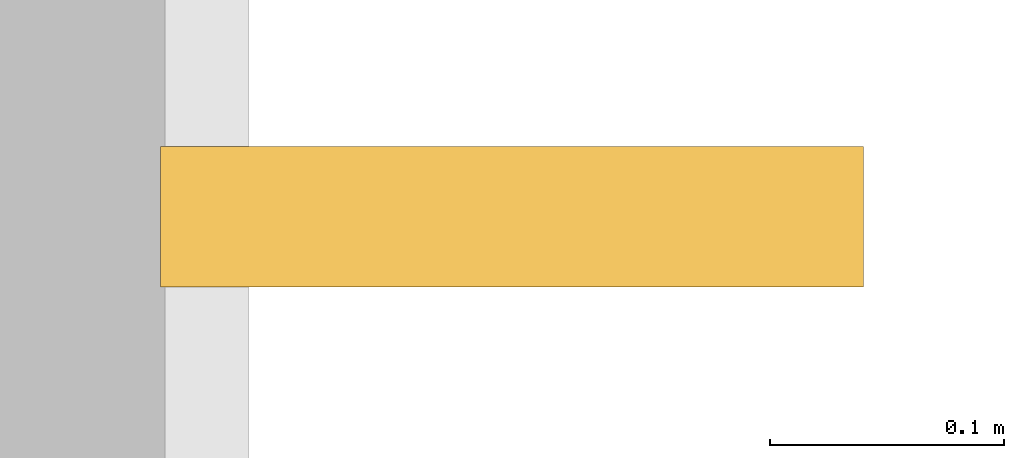
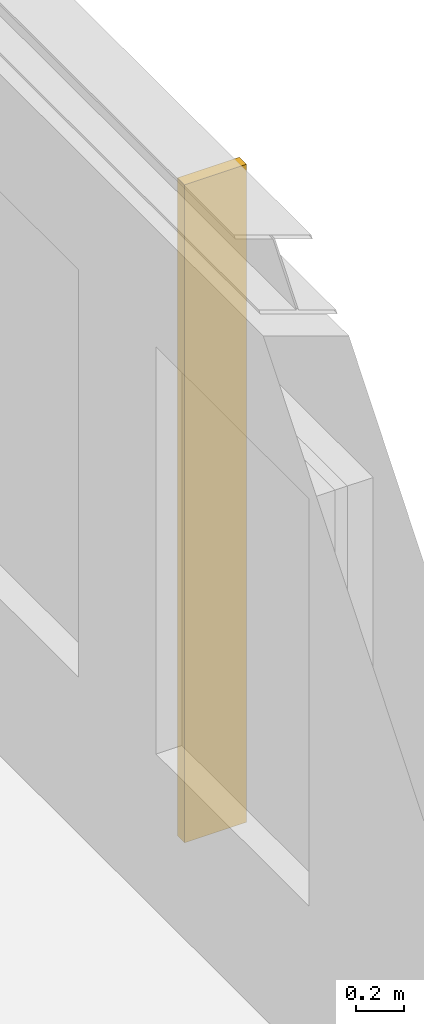
# One storey, part 162 of 165: 1 shading device.
"""IFC4 building model written with IfcOpenShell, lengths in metres."""

from ifc_helpers import new_model, si_unit, direction, frame, origin, origin_2d, place, context, subcontext, project, spatial, rectangle, extrude, material, type_object, element, save


model = new_model("IFC4")

# Units and contexts
model_context = context("Model", 3, precision=1e-05, world=origin(), true_north=direction((0.0, 1.0)))
body_context = subcontext(model_context, "Body", "Model", "MODEL_VIEW")
ifc_project = project(units=[si_unit("LENGTHUNIT", "METRE"), si_unit("AREAUNIT", "SQUARE_METRE"), si_unit("VOLUMEUNIT", "CUBIC_METRE"), si_unit("PLANEANGLEUNIT", "RADIAN"), si_unit("MASSUNIT", "GRAM", prefix="KILO")], contexts=[model_context])

# Site, building, storey
site_placement = place(None, origin())
site = spatial("IfcSite", under=ifc_project, at=site_placement, CompositionType="ELEMENT")
building_placement = place(site_placement, origin())
building = spatial("IfcBuilding", under=site, at=building_placement, Name="Montecoro Central Library", CompositionType="ELEMENT")
storey_placement = place(building_placement, frame((0.0, 0.0, 5.10009765625)))
storey = spatial("IfcBuildingStorey", under=building, at=storey_placement, Name="L01", CompositionType="ELEMENT", Elevation=5.10009765625)

# Shading device
ifc_material = material(Name="Architectural bronze solar fin", Category="aluminium")
shading_device_type = type_object("IfcShadingDeviceType", Name="SHD-FIN-07", PredefinedType="USERDEFINED", material=ifc_material)
shading_device_placement = place(storey_placement, frame((117.10302734375, 115.199951171875, 0.06005859375), z_axis=(0.0, 0.0, 1.0), x_axis=(0.0, 1.0, 0.0)))
element("IfcShadingDevice", 1, at=shading_device_placement, inside=storey, type_object=shading_device_type, Name="V2-L01-FIN-E4", ObjectType="SOLAR FIN", PredefinedType="USERDEFINED", context=body_context, shape_type="SweptSolid", body=[
    extrude(rectangle(XDim=0.06005859375, YDim=0.300048828125, at=origin_2d()), origin(), (0.0, 0.0, 1.0), 3.360107421875),
])

save(model, "model.ifc")
